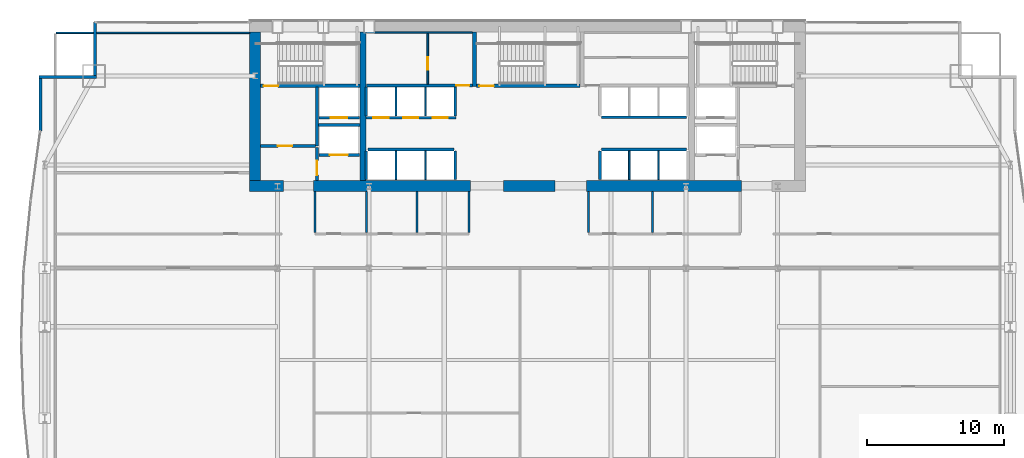
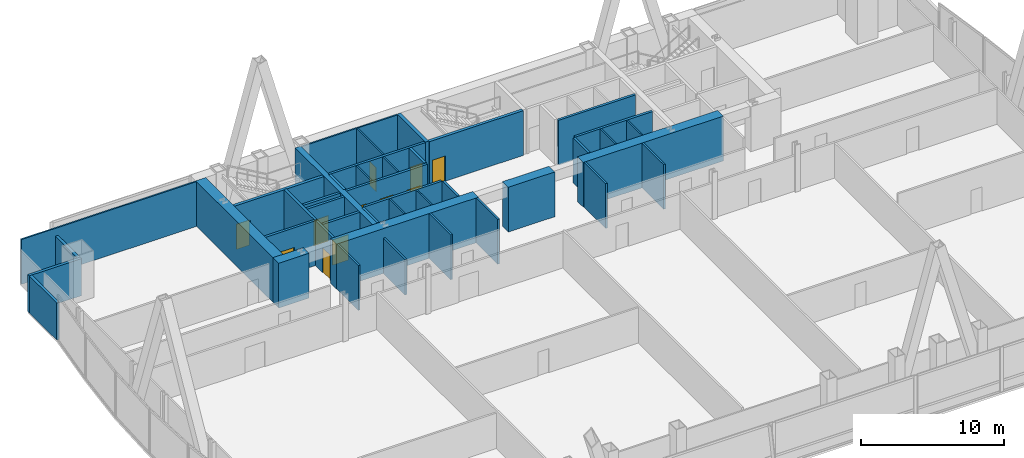
# One storey, part 30 of 35: 43 walls, 11 doors, 11 openings.
"""IFC4 building model written with IfcOpenShell, lengths in metres."""

from ifc_helpers import new_model, si_unit, direction, frame, frame_2d, origin, place, context, subcontext, project, spatial, rectangle, extrude, material, layer, layer_set, type_object, element, fill, save


model = new_model("IFC4")

# Units and contexts
model_context = context("Model", 3, precision=1e-05, world=origin(), true_north=direction((0.0, 1.0)))
body_context = subcontext(model_context, "Body", "Model", "MODEL_VIEW")
ifc_project = project(units=[si_unit("LENGTHUNIT", "METRE"), si_unit("AREAUNIT", "SQUARE_METRE"), si_unit("VOLUMEUNIT", "CUBIC_METRE"), si_unit("PLANEANGLEUNIT", "RADIAN"), si_unit("MASSUNIT", "GRAM", prefix="KILO")], contexts=[model_context])

# Site, building, storey
site_placement = place(None, origin())
site = spatial("IfcSite", under=ifc_project, at=site_placement, CompositionType="ELEMENT")
building_placement = place(site_placement, origin())
building = spatial("IfcBuilding", under=site, at=building_placement, Name="Khoronbel Lancet Exchange", CompositionType="ELEMENT")
storey_placement = place(building_placement, frame((0.0, 0.0, 37.800048828125)))
storey = spatial("IfcBuildingStorey", under=building, at=storey_placement, Name="L08", CompositionType="ELEMENT", Elevation=37.800048828125)

# Walls
ifc_material_1 = material(Name="Concrete C80/95", Category="concrete")
ifc_layer_1 = layer(ifc_material_1, 0.800048828125, Name="Concrete C80/95")
ifc_layer_set_1 = layer_set([ifc_layer_1], Name="Concrete C80/95")
wall_type_1 = type_object("IfcWallType", Name="WL-CW1", PredefinedType="SHEAR", material=ifc_layer_set_1)
wall_1_placement = place(storey_placement, frame((16.60009765625, 42.10009765625, 0.0), z_axis=(0.0, 0.0, 1.0), x_axis=(0.0, 1.0, 0.0)))
element("IfcWall", 1, at=wall_1_placement, inside=storey, type_object=wall_type_1, Name="Level L08 rear core west shear wall", PredefinedType="SHEAR", context=body_context, shape_type="SweptSolid", body=[
    extrude(rectangle(XDim=10.7998046875, YDim=0.800048828125, at=frame_2d((5.39990234375, 0.0))), origin(), (0.0, 0.0, 1.0), 3.820068359375),
])
wall_2_placement = place(storey_placement, frame((18.64990234375, 41.699951171875, 0.0), z_axis=(0.0, 0.0, 1.0), x_axis=(-1.0, 0.0, 0.0)))
element("IfcWall", 2, at=wall_2_placement, inside=storey, type_object=wall_type_1, Name="Level L08 rear core south shear wall pier P1", PredefinedType="SHEAR", context=body_context, shape_type="SweptSolid", body=[
    extrude(rectangle(XDim=2.449951171875, YDim=0.800048828125, at=frame_2d((1.22509765625, 0.0))), origin(), (0.0, 0.0, 1.0), 3.820068359375),
])
wall_3_placement = place(storey_placement, frame((32.300048828125, 41.699951171875, 0.0), z_axis=(0.0, 0.0, 1.0), x_axis=(-1.0, 0.0, 0.0)))
element("IfcWall", 3, at=wall_3_placement, inside=storey, type_object=wall_type_1, Name="Level L08 rear core south shear wall pier P2", PredefinedType="SHEAR", context=body_context, shape_type="SweptSolid", body=[
    extrude(rectangle(XDim=11.449951171875, YDim=0.800048828125, at=frame_2d((5.72509765625, 0.0))), origin(), (0.0, 0.0, 1.0), 3.820068359375),
])
wall_4_placement = place(storey_placement, frame((38.449951171875, 41.699951171875, 0.0), z_axis=(0.0, 0.0, 1.0), x_axis=(-1.0, 0.0, 0.0)))
element("IfcWall", 4, at=wall_4_placement, inside=storey, type_object=wall_type_1, Name="Level L08 rear core south shear wall pier P3", PredefinedType="SHEAR", context=body_context, shape_type="SweptSolid", body=[
    extrude(rectangle(XDim=3.75, YDim=0.800048828125, at=frame_2d((1.875, 0.0))), origin(), (0.0, 0.0, 1.0), 3.820068359375),
])
wall_5_placement = place(storey_placement, frame((52.050048828125, 41.699951171875, 0.0), z_axis=(0.0, 0.0, 1.0), x_axis=(-1.0, 0.0, 0.0)))
element("IfcWall", 5, at=wall_5_placement, inside=storey, type_object=wall_type_1, Name="Level L08 rear core south shear wall pier P4", PredefinedType="SHEAR", context=body_context, shape_type="SweptSolid", body=[
    extrude(rectangle(XDim=11.300048828125, YDim=0.800048828125, at=frame_2d((5.64990234375, 0.0))), origin(), (0.0, 0.0, 1.0), 3.820068359375),
])
ifc_material_2 = material(Name="Precast concrete C40/50", Category="concrete")
ifc_layer_2 = layer(ifc_material_2, 0.25, Name="Precast concrete C40/50")
ifc_layer_set_2 = layer_set([ifc_layer_2], Name="Precast concrete C40/50")
wall_type_2 = type_object("IfcWallType", Name="WL-EXT250", PredefinedType="SOLIDWALL", material=ifc_layer_set_2)
wall_6_placement = place(storey_placement, frame((0.93994140625, 45.673828125, 0.0), z_axis=(0.0, 0.0, 1.0), x_axis=(0.0, 1.0, 0.0)))
element("IfcWall", 6, at=wall_6_placement, inside=storey, type_object=wall_type_2, Name="Level L08 notched-corner limestone pier 10", PredefinedType="SOLIDWALL", context=body_context, shape_type="SweptSolid", body=[
    extrude(rectangle(XDim=3.826171875, YDim=0.219970703125, at=frame_2d((1.9130859375, 0.0))), origin(), (0.0, 0.0, 1.0), 3.159912109375),
])
wall_7_placement = place(storey_placement, frame((0.830078125, 49.610107421875, 0.0), z_axis=(0.0, 0.0, 1.0), x_axis=(1.0, 0.0, 0.0)))
element("IfcWall", 7, at=wall_7_placement, inside=storey, type_object=wall_type_2, Name="Level L08 notched-corner limestone pier 11", PredefinedType="SOLIDWALL", context=body_context, shape_type="SweptSolid", body=[
    extrude(rectangle(XDim=4.219970703125, YDim=0.219970703125, at=frame_2d((2.10986328125, 0.0))), origin(), (0.0, 0.0, 1.0), 3.159912109375),
])
wall_8_placement = place(storey_placement, frame((4.93994140625, 49.719970703125, 0.0), z_axis=(0.0, 0.0, 1.0), x_axis=(0.0, 1.0, 0.0)))
element("IfcWall", 8, at=wall_8_placement, inside=storey, type_object=wall_type_2, Name="Level L08 notched-corner limestone pier 12", PredefinedType="SOLIDWALL", context=body_context, shape_type="SweptSolid", body=[
    extrude(rectangle(XDim=3.909912109375, YDim=0.219970703125, at=frame_2d((1.955078125, 0.0))), origin(), (0.0, 0.0, 1.0), 3.159912109375),
])
ifc_material_3 = material(Name="Acoustic Metal-Stud & Mineral-Wool Gypsum Partition 120 mm", Category="gypsum")
ifc_layer_3 = layer(ifc_material_3, 0.1201171875, Name="Acoustic Metal-Stud & Mineral-Wool Gypsum Partition 120 mm")
ifc_layer_set_3 = layer_set([ifc_layer_3], Name="Acoustic Metal-Stud & Mineral-Wool Gypsum Partition 120 mm")
wall_type_3 = type_object("IfcWallType", Name="WL-PRT120", PredefinedType="PARTITIONING", material=ifc_layer_set_3)
wall_9_placement = place(storey_placement, frame((20.949951171875, 38.280029296875, 0.0), z_axis=(0.0, 0.0, 1.0), x_axis=(0.0, 1.0, 0.0)))
element("IfcWall", 9, at=wall_9_placement, inside=storey, type_object=wall_type_3, Name="Level L08 interior partition PW-WC-0", PredefinedType="PARTITIONING", context=body_context, shape_type="SweptSolid", body=[
    extrude(rectangle(XDim=3.02001953125, YDim=0.14990234375, at=frame_2d((1.510009765625, 0.0))), origin(), (0.0, 0.0, 1.0), 3.820068359375),
])
wall_10_placement = place(storey_placement, frame((24.699951171875, 38.280029296875, 0.0), z_axis=(0.0, 0.0, 1.0), x_axis=(0.0, 1.0, 0.0)))
element("IfcWall", 10, at=wall_10_placement, inside=storey, type_object=wall_type_3, Name="Level L08 interior partition PW-WC-1", PredefinedType="PARTITIONING", context=body_context, shape_type="SweptSolid", body=[
    extrude(rectangle(XDim=3.02001953125, YDim=0.14990234375, at=frame_2d((1.510009765625, 0.0))), origin(), (0.0, 0.0, 1.0), 3.010009765625),
])
for number, where, z_axis, x_axis, name in (
    (11, (28.39990234375, 38.280029296875, 0.0), (0.0, 0.0, 1.0), (0.0, 1.0, 0.0), "Level L08 interior partition PW-WC-2"),
    (12, (32.179931640625, 38.280029296875, 0.0), (0.0, 0.0, 1.0), (0.0, 1.0, 0.0), "Level L08 interior partition PW-WC-3"),
    (13, (40.8798828125, 38.280029296875, 0.0), (0.0, 0.0, 1.0), (0.0, 1.0, 0.0), "Level L08 interior partition PW-NP-0"),
    (14, (45.550048828125, 38.280029296875, 0.0), (0.0, 0.0, 1.0), (0.0, 1.0, 0.0), "Level L08 interior partition PW-NP-M"),
):
    element("IfcWall", number, at=place(storey_placement, frame(where, z_axis=z_axis, x_axis=x_axis)), inside=storey, type_object=wall_type_3, Name=name, PredefinedType="PARTITIONING", context=body_context, shape_type="SweptSolid", body=[
        extrude(rectangle(XDim=3.02001953125, YDim=0.14990234375, at=frame_2d((1.510009765625, 0.0))), origin(), (0.0, 0.0, 1.0), 3.820068359375),
    ])
wall_11_placement = place(storey_placement, frame((2.094970703125, 52.840087890625, 0.0), z_axis=(0.0, 0.0, 1.0), x_axis=(1.0, 0.0, 0.0)))
element("IfcWall", 15, at=wall_11_placement, inside=storey, type_object=wall_type_3, Name="Level L08 interior partition PW-LIN-NW", PredefinedType="PARTITIONING", context=body_context, shape_type="SweptSolid", body=[
    extrude(rectangle(XDim=14.10498046875, YDim=0.1201171875, at=frame_2d((7.052490234375, 0.0))), origin(), (0.0, 0.0, 1.0), 3.820068359375),
])
ifc_material_4 = material(Name="Fire-Rated Metal-Stud & Mineral-Wool Gypsum Partition 120 mm", Category="gypsum")
ifc_layer_4 = layer(ifc_material_4, 0.1201171875, Name="Fire-Rated Metal-Stud & Mineral-Wool Gypsum Partition 120 mm")
ifc_layer_set_4 = layer_set([ifc_layer_4], Name="Fire-Rated Metal-Stud & Mineral-Wool Gypsum Partition 120 mm")
wall_type_4 = type_object("IfcWallType", Name="WL-PRT120F", PredefinedType="PARTITIONING", material=ifc_layer_set_4)
for number, where, z_axis, x_axis, name in (
    (16, (26.860107421875, 46.800048828125, 0.0), (0.0, 0.0, 1.0), (0.0, 1.0, 0.0), "Level L08 interior partition CW-PL-D1"),
    (17, (29.02001953125, 46.800048828125, 0.0), (0.0, 0.0, 1.0), (0.0, 1.0, 0.0), "Level L08 interior partition CW-PL-D2"),
):
    element("IfcWall", number, at=place(storey_placement, frame(where, z_axis=z_axis, x_axis=x_axis)), inside=storey, type_object=wall_type_4, Name=name, PredefinedType="PARTITIONING", context=body_context, shape_type="SweptSolid", body=[
        extrude(rectangle(XDim=2.094970703125, YDim=0.1201171875, at=frame_2d((1.04736328125, 0.0))), origin(), (0.0, 0.0, 1.0), 3.820068359375),
    ])
for number, where, z_axis, x_axis, name in (
    (18, (26.860107421875, 42.14990234375, 0.0), (0.0, 0.0, 1.0), (0.0, 1.0, 0.0), "Level L08 interior partition CW-PM-D1"),
    (19, (29.02001953125, 42.14990234375, 0.0), (0.0, 0.0, 1.0), (0.0, 1.0, 0.0), "Level L08 interior partition CW-PM-D2"),
    (20, (43.860107421875, 42.14990234375, 0.0), (0.0, 0.0, 1.0), (0.0, 1.0, 0.0), "Level L08 interior partition CW-PX-D1"),
    (21, (46.0, 42.14990234375, 0.0), (0.0, 0.0, 1.0), (0.0, 1.0, 0.0), "Level L08 interior partition CW-PX-D2"),
):
    element("IfcWall", number, at=place(storey_placement, frame(where, z_axis=z_axis, x_axis=x_axis)), inside=storey, type_object=wall_type_4, Name=name, PredefinedType="PARTITIONING", context=body_context, shape_type="SweptSolid", body=[
        extrude(rectangle(XDim=2.09521484375, YDim=0.1201171875, at=frame_2d((1.047607421875, 0.0))), origin(), (0.0, 0.0, 1.0), 3.820068359375),
    ])
wall_12_placement = place(storey_placement, frame((24.699951171875, 52.860107421875, 0.0), z_axis=(0.0, 0.0, 1.0), x_axis=(1.0, 0.0, 0.0)))
element("IfcWall", 22, at=wall_12_placement, inside=storey, type_object=wall_type_4, Name="Level L08 interior partition CW-SUP-NW-N", PredefinedType="PARTITIONING", context=body_context, shape_type="SweptSolid", body=[
    extrude(rectangle(XDim=7.719970703125, YDim=0.1201171875, at=frame_2d((3.85986328125, 0.0))), origin(), (0.0, 0.0, 1.0), 3.820068359375),
])

# Wall, opening, door
wall_13_placement = place(storey_placement, frame((29.177490234375, 49.10498046875, 0.0), z_axis=(0.0, 0.0, 1.0), x_axis=(0.0, 1.0, 0.0)))
wall_13 = element("IfcWall", 23, at=wall_13_placement, inside=storey, type_object=wall_type_4, Name="Level L08 interior partition CW-SUP-NW-M", PredefinedType="PARTITIONING", context=body_context, shape_type="SweptSolid", body=[
    extrude(rectangle(XDim=3.68994140625, YDim=0.1201171875, at=frame_2d((1.844970703125, 0.0))), origin(), (0.0, 0.0, 1.0), 3.820068359375),
])
opening_1_placement = place(wall_13_placement, frame((1.050048828125, 0.0, 0.0)))
opening_1 = element("IfcOpeningElement", 24, at=opening_1_placement, cuts=wall_13, Name="Opening FD4", PredefinedType="OPENING", context=body_context, shape_type="SweptSolid", body=[
    extrude(rectangle(XDim=0.89990234375, YDim=2.050048828125, at=frame_2d((0.449951171875, 1.02490234375))), frame((0.0, 0.070068359375, 0.0), z_axis=(0.0, -1.0, 0.0), x_axis=(1.0, 0.0, 0.0)), (0.0, 0.0, 1.0), 0.14013671875),
])
ifc_material_5 = material(Name="Fire-Rated Steel Core Support Door Assembly", Category="steel")
door_type_1 = type_object("IfcDoorType", Name="DR-FD4", OperationType="NOTDEFINED", PredefinedType="DOOR", material=ifc_material_5)
door_1_placement = place(opening_1_placement, origin())
door_1 = element("IfcDoor", 25, at=door_1_placement, inside=storey, type_object=door_type_1, Name="Core NW inner support door L08-1", OperationType="SINGLE_SWING_RIGHT", OverallHeight=2.050048828125, OverallWidth=0.89990234375, PredefinedType="DOOR", context=body_context, shape_type="SweptSolid", body=[
    extrude(rectangle(XDim=0.89990234375, YDim=2.050048828125, at=frame_2d((0.449951171875, 1.02490234375))), frame((0.0, 0.02490234375, 0.0), z_axis=(0.0, -1.0, 0.0), x_axis=(1.0, 0.0, 0.0)), (0.0, 0.0, 1.0), 0.050048828125),
])
fill(opening_1, door_1)

ifc_material_6 = material(Name="Autoclaved Aerated Concrete Blockwork 200 mm", Category="masonry")
ifc_layer_5 = layer(ifc_material_6, 0.199951171875, Name="Autoclaved Aerated Concrete Blockwork 200 mm")
ifc_layer_set_5 = layer_set([ifc_layer_5], Name="Autoclaved Aerated Concrete Blockwork 200 mm")
wall_type_5 = type_object("IfcWallType", Name="WL-PRT200", PredefinedType="PARTITIONING", material=ifc_layer_set_5)
wall_14_placement = place(storey_placement, frame((24.2099609375, 43.949951171875, 0.0), z_axis=(0.0, 0.0, 1.0), x_axis=(-1.0, 0.0, 0.0)))
wall_14 = element("IfcWall", 26, at=wall_14_placement, inside=storey, type_object=wall_type_5, Name="Level L08 elevator hoistway landing front wall SVLW", PredefinedType="PARTITIONING", context=body_context, shape_type="SweptSolid", body=[
    extrude(rectangle(XDim=2.969970703125, YDim=0.199951171875, at=frame_2d((1.48486328125, 0.0))), origin(), (0.0, 0.0, 1.0), 3.820068359375),
])
opening_2_placement = place(wall_14_placement, frame((0.860107421875, 0.0, 0.0)))
opening_2 = element("IfcOpeningElement", 27, at=opening_2_placement, cuts=wall_14, Name="Opening LD-SVL1", PredefinedType="OPENING", context=body_context, shape_type="SweptSolid", body=[
    extrude(rectangle(XDim=1.300048828125, YDim=2.179931640625, at=frame_2d((0.64990234375, 1.08984375))), frame((0.0, 0.10986328125, 0.0), z_axis=(0.0, -1.0, 0.0), x_axis=(1.0, 0.0, 0.0)), (0.0, 0.0, 1.0), 0.219970703125),
])
ifc_material_7 = material(Name="Heavy-Duty Bi-Parting Goods Lift Landing Door", Category="steel")
door_type_2 = type_object("IfcDoorType", Name="DR-LD-SVL", OperationType="NOTDEFINED", PredefinedType="DOOR", material=ifc_material_7)
door_2_placement = place(opening_2_placement, origin())
door_2 = element("IfcDoor", 28, at=door_2_placement, inside=storey, type_object=door_type_2, Name="Elevator landing sliding door LD-SVL1 L08", OperationType="SLIDING_TO_LEFT", OverallHeight=2.179931640625, OverallWidth=1.300048828125, PredefinedType="DOOR", context=body_context, shape_type="SweptSolid", body=[
    extrude(rectangle(XDim=1.300048828125, YDim=2.179931640625, at=frame_2d((0.64990234375, 1.08984375))), frame((0.0, 0.02490234375, 0.0), z_axis=(0.0, -1.0, 0.0), x_axis=(1.0, 0.0, 0.0)), (0.0, 0.0, 1.0), 0.050048828125),
])
fill(opening_2, door_2)

wall_15_placement = place(storey_placement, frame((24.2099609375, 46.64990234375, 0.0), z_axis=(0.0, 0.0, 1.0), x_axis=(-1.0, 0.0, 0.0)))
wall_15 = element("IfcWall", 29, at=wall_15_placement, inside=storey, type_object=wall_type_5, Name="Level L08 elevator hoistway landing front wall FFLW", PredefinedType="PARTITIONING", context=body_context, shape_type="SweptSolid", body=[
    extrude(rectangle(XDim=2.969970703125, YDim=0.199951171875, at=frame_2d((1.48486328125, 0.0))), origin(), (0.0, 0.0, 1.0), 3.820068359375),
])
opening_3_placement = place(wall_15_placement, frame((0.909912109375, 0.0, 0.0)))
opening_3 = element("IfcOpeningElement", 30, at=opening_3_placement, cuts=wall_15, Name="Opening LD-FFL1", PredefinedType="OPENING", context=body_context, shape_type="SweptSolid", body=[
    extrude(rectangle(XDim=1.199951171875, YDim=2.179931640625, at=frame_2d((0.60009765625, 1.08984375))), frame((0.0, 0.10986328125, 0.0), z_axis=(0.0, -1.0, 0.0), x_axis=(1.0, 0.0, 0.0)), (0.0, 0.0, 1.0), 0.219970703125),
])
ifc_material_8 = material(Name="Fire-Rated Stainless Bi-Parting Firefighting Lift Door", Category="steel")
door_type_3 = type_object("IfcDoorType", Name="DR-LD-FFL", OperationType="NOTDEFINED", PredefinedType="DOOR", material=ifc_material_8)
door_3_placement = place(opening_3_placement, origin())
door_3 = element("IfcDoor", 31, at=door_3_placement, inside=storey, type_object=door_type_3, Name="Elevator landing sliding door LD-FFL1 L08", OperationType="SLIDING_TO_LEFT", OverallHeight=2.179931640625, OverallWidth=1.199951171875, PredefinedType="DOOR", context=body_context, shape_type="SweptSolid", body=[
    extrude(rectangle(XDim=1.199951171875, YDim=2.179931640625, at=frame_2d((0.60009765625, 1.08984375))), frame((0.0, 0.02490234375, 0.0), z_axis=(0.0, -1.0, 0.0), x_axis=(1.0, 0.0, 0.0)), (0.0, 0.0, 1.0), 0.050048828125),
])
fill(opening_3, door_3)

# Wall, openings, doors
wall_16_placement = place(storey_placement, frame((31.219970703125, 46.64990234375, 0.0), z_axis=(0.0, 0.0, 1.0), x_axis=(-1.0, 0.0, 0.0)))
wall_16 = element("IfcWall", 32, at=wall_16_placement, inside=storey, type_object=wall_type_5, Name="Level L08 elevator hoistway landing front wall PLW", PredefinedType="PARTITIONING", context=body_context, shape_type="SweptSolid", body=[
    extrude(rectangle(XDim=6.530029296875, YDim=0.199951171875, at=frame_2d((3.26513671875, 0.0))), origin(), (0.0, 0.0, 1.0), 3.820068359375),
])
opening_4_placement = place(wall_16_placement, frame((4.89990234375, 0.0, 0.0)))
opening_4 = element("IfcOpeningElement", 33, at=opening_4_placement, cuts=wall_16, Name="Opening LD-PL1", PredefinedType="OPENING", context=body_context, shape_type="SweptSolid", body=[
    extrude(rectangle(XDim=1.10009765625, YDim=2.179931640625, at=frame_2d((0.550048828125, 1.08984375))), frame((0.0, 0.10986328125, 0.0), z_axis=(0.0, -1.0, 0.0), x_axis=(1.0, 0.0, 0.0)), (0.0, 0.0, 1.0), 0.219970703125),
])
opening_5_placement = place(wall_16_placement, frame((2.739990234375, 0.0, 0.0)))
opening_5 = element("IfcOpeningElement", 34, at=opening_5_placement, cuts=wall_16, Name="Opening LD-PL2", PredefinedType="OPENING", context=body_context, shape_type="SweptSolid", body=[
    extrude(rectangle(XDim=1.10009765625, YDim=2.179931640625, at=frame_2d((0.550048828125, 1.08984375))), frame((0.0, 0.10986328125, 0.0), z_axis=(0.0, -1.0, 0.0), x_axis=(1.0, 0.0, 0.0)), (0.0, 0.0, 1.0), 0.219970703125),
])
opening_6_placement = place(wall_16_placement, frame((0.580078125, 0.0, 0.0)))
opening_6 = element("IfcOpeningElement", 35, at=opening_6_placement, cuts=wall_16, Name="Opening LD-PL3", PredefinedType="OPENING", context=body_context, shape_type="SweptSolid", body=[
    extrude(rectangle(XDim=1.10009765625, YDim=2.179931640625, at=frame_2d((0.550048828125, 1.08984375))), frame((0.0, 0.10986328125, 0.0), z_axis=(0.0, -1.0, 0.0), x_axis=(1.0, 0.0, 0.0)), (0.0, 0.0, 1.0), 0.219970703125),
])
ifc_material_9 = material(Name="Brushed Bronze Bi-Parting Elevator Landing Door", Category="steel")
door_type_4 = type_object("IfcDoorType", Name="DR-LD-PAX", OperationType="NOTDEFINED", PredefinedType="DOOR", material=ifc_material_9)
door_4_placement = place(opening_4_placement, origin())
door_4 = element("IfcDoor", 36, at=door_4_placement, inside=storey, type_object=door_type_4, Name="Elevator landing sliding door LD-PL1 L08", OperationType="SLIDING_TO_LEFT", OverallHeight=2.179931640625, OverallWidth=1.10009765625, PredefinedType="DOOR", context=body_context, shape_type="SweptSolid", body=[
    extrude(rectangle(XDim=1.10009765625, YDim=2.179931640625, at=frame_2d((0.550048828125, 1.08984375))), frame((0.0, 0.02490234375, 0.0), z_axis=(0.0, -1.0, 0.0), x_axis=(1.0, 0.0, 0.0)), (0.0, 0.0, 1.0), 0.050048828125),
])
fill(opening_4, door_4)
door_5_placement = place(opening_5_placement, origin())
door_5 = element("IfcDoor", 37, at=door_5_placement, inside=storey, type_object=door_type_4, Name="Elevator landing sliding door LD-PL2 L08", OperationType="SLIDING_TO_LEFT", OverallHeight=2.179931640625, OverallWidth=1.10009765625, PredefinedType="DOOR", context=body_context, shape_type="SweptSolid", body=[
    extrude(rectangle(XDim=1.10009765625, YDim=2.179931640625, at=frame_2d((0.550048828125, 1.08984375))), frame((0.0, 0.02490234375, 0.0), z_axis=(0.0, -1.0, 0.0), x_axis=(1.0, 0.0, 0.0)), (0.0, 0.0, 1.0), 0.050048828125),
])
fill(opening_5, door_5)
door_6_placement = place(opening_6_placement, origin())
door_6 = element("IfcDoor", 38, at=door_6_placement, inside=storey, type_object=door_type_4, Name="Elevator landing sliding door LD-PL3 L08", OperationType="SLIDING_TO_LEFT", OverallHeight=2.179931640625, OverallWidth=1.10009765625, PredefinedType="DOOR", context=body_context, shape_type="SweptSolid", body=[
    extrude(rectangle(XDim=1.10009765625, YDim=2.179931640625, at=frame_2d((0.550048828125, 1.08984375))), frame((0.0, 0.02490234375, 0.0), z_axis=(0.0, -1.0, 0.0), x_axis=(1.0, 0.0, 0.0)), (0.0, 0.0, 1.0), 0.050048828125),
])
fill(opening_6, door_6)

# Wall
wall_17_placement = place(storey_placement, frame((21.10009765625, 44.60009765625, 0.0), z_axis=(0.0, 0.0, 1.0), x_axis=(0.0, 1.0, 0.0)))
element("IfcWall", 39, at=wall_17_placement, inside=storey, type_object=wall_type_5, Name="Level L08 interior partition CW-FFLW-E", PredefinedType="PARTITIONING", context=body_context, shape_type="SweptSolid", body=[
    extrude(rectangle(XDim=4.2998046875, YDim=0.199951171875, at=frame_2d((2.14990234375, 0.0))), origin(), (0.0, 0.0, 1.0), 3.820068359375),
])

# Wall, opening, door
wall_18_placement = place(storey_placement, frame((17.0, 44.60009765625, 0.0), z_axis=(0.0, 0.0, 1.0), x_axis=(1.0, 0.0, 0.0)))
wall_18 = element("IfcWall", 40, at=wall_18_placement, inside=storey, type_object=wall_type_5, Name="Level L08 interior partition CW-FFLW-S", PredefinedType="PARTITIONING", context=body_context, shape_type="SweptSolid", body=[
    extrude(rectangle(XDim=4.0, YDim=0.199951171875, at=frame_2d((2.0, 0.0))), origin(), (0.0, 0.0, 1.0), 3.820068359375),
])
opening_7_placement = place(wall_18_placement, frame((1.25, 0.0, 0.0)))
opening_7 = element("IfcOpeningElement", 41, at=opening_7_placement, cuts=wall_18, Name="Opening FD1", PredefinedType="OPENING", context=body_context, shape_type="SweptSolid", body=[
    extrude(rectangle(XDim=1.050048828125, YDim=2.14990234375, at=frame_2d((0.52490234375, 1.074951171875))), frame((0.0, 0.10986328125, 0.0), z_axis=(0.0, -1.0, 0.0), x_axis=(1.0, 0.0, 0.0)), (0.0, 0.0, 1.0), 0.219970703125),
])
ifc_material_10 = material(Name="Fire-Rated Painted Steel Door Assembly", Category="steel")
door_type_5 = type_object("IfcDoorType", Name="DR-FD1", OperationType="NOTDEFINED", PredefinedType="DOOR", material=ifc_material_10)
door_7_placement = place(opening_7_placement, origin())
door_7 = element("IfcDoor", 42, at=door_7_placement, inside=storey, type_object=door_type_5, Name="West firefighting lobby FD90S door L08-1", OperationType="SINGLE_SWING_LEFT", OverallHeight=2.14990234375, OverallWidth=1.050048828125, PredefinedType="DOOR", context=body_context, shape_type="SweptSolid", body=[
    extrude(rectangle(XDim=1.050048828125, YDim=2.14990234375, at=frame_2d((0.52490234375, 1.074951171875))), frame((0.0, 0.02490234375, 0.0), z_axis=(0.0, -1.0, 0.0), x_axis=(1.0, 0.0, 0.0)), (0.0, 0.0, 1.0), 0.050048828125),
])
fill(opening_7, door_7)

# Wall
wall_19_placement = place(storey_placement, frame((21.199951171875, 46.1201171875, 0.0), z_axis=(0.0, 0.0, 1.0), x_axis=(1.0, 0.0, 0.0)))
element("IfcWall", 43, at=wall_19_placement, inside=storey, type_object=wall_type_5, Name="Level L08 interior partition CW-FFL1-S", PredefinedType="PARTITIONING", context=body_context, shape_type="SweptSolid", body=[
    extrude(rectangle(XDim=3.02001953125, YDim=0.199951171875, at=frame_2d((1.510009765625, 0.0))), origin(), (0.0, 0.0, 1.0), 3.820068359375),
])

# Wall, opening, door
wall_20_placement = place(storey_placement, frame((21.10009765625, 42.10009765625, 0.0), z_axis=(0.0, 0.0, 1.0), x_axis=(0.0, 1.0, 0.0)))
wall_20 = element("IfcWall", 44, at=wall_20_placement, inside=storey, type_object=wall_type_5, Name="Level L08 interior partition CW-SVLW-W", PredefinedType="PARTITIONING", context=body_context, shape_type="SweptSolid", body=[
    extrude(rectangle(XDim=2.39501953125, YDim=0.199951171875, at=frame_2d((1.197509765625, 0.0))), origin(), (0.0, 0.0, 1.0), 3.820068359375),
])
opening_8_placement = place(wall_20_placement, frame((0.3798828125, 0.0, 0.0)))
opening_8 = element("IfcOpeningElement", 45, at=opening_8_placement, cuts=wall_20, Name="Opening FD1", PredefinedType="OPENING", context=body_context, shape_type="SweptSolid", body=[
    extrude(rectangle(XDim=1.050048828125, YDim=2.14990234375, at=frame_2d((0.52490234375, 1.074951171875))), frame((0.0, 0.10986328125, 0.0), z_axis=(0.0, -1.0, 0.0), x_axis=(1.0, 0.0, 0.0)), (0.0, 0.0, 1.0), 0.219970703125),
])
door_8_placement = place(opening_8_placement, origin())
door_8 = element("IfcDoor", 46, at=door_8_placement, inside=storey, type_object=door_type_5, Name="West service lift lobby door L08-1", OperationType="SINGLE_SWING_RIGHT", OverallHeight=2.14990234375, OverallWidth=1.050048828125, PredefinedType="DOOR", context=body_context, shape_type="SweptSolid", body=[
    extrude(rectangle(XDim=1.050048828125, YDim=2.14990234375, at=frame_2d((0.52490234375, 1.074951171875))), frame((0.0, 0.02490234375, 0.0), z_axis=(0.0, -1.0, 0.0), x_axis=(1.0, 0.0, 0.0)), (0.0, 0.0, 1.0), 0.050048828125),
])
fill(opening_8, door_8)

# Walls
for number, where, z_axis, x_axis, name in (
    (47, (24.699951171875, 46.800048828125, 0.0), (0.0, 0.0, 1.0), (0.0, 1.0, 0.0), "Level L08 interior partition CW-PL-W"),
    (48, (31.179931640625, 46.800048828125, 0.0), (0.0, 0.0, 1.0), (0.0, 1.0, 0.0), "Level L08 interior partition CW-PL-E"),
):
    element("IfcWall", number, at=place(storey_placement, frame(where, z_axis=z_axis, x_axis=x_axis)), inside=storey, type_object=wall_type_5, Name=name, PredefinedType="PARTITIONING", context=body_context, shape_type="SweptSolid", body=[
        extrude(rectangle(XDim=2.094970703125, YDim=0.199951171875, at=frame_2d((1.04736328125, 0.0))), origin(), (0.0, 0.0, 1.0), 3.820068359375),
    ])
wall_21_placement = place(storey_placement, frame((24.804931640625, 44.35009765625, 0.0), z_axis=(0.0, 0.0, 1.0), x_axis=(1.0, 0.0, 0.0)))
element("IfcWall", 49, at=wall_21_placement, inside=storey, type_object=wall_type_5, Name="Level L08 interior partition CW-PM-EXP", PredefinedType="PARTITIONING", context=body_context, shape_type="SweptSolid", body=[
    extrude(rectangle(XDim=6.27001953125, YDim=0.199951171875, at=frame_2d((3.135009765625, 0.0))), origin(), (0.0, 0.0, 1.0), 3.820068359375),
])
for number, where, z_axis, x_axis, name in (
    (50, (24.699951171875, 42.14990234375, 0.0), (0.0, 0.0, 1.0), (0.0, 1.0, 0.0), "Level L08 interior partition CW-PM-W"),
    (51, (31.179931640625, 42.14990234375, 0.0), (0.0, 0.0, 1.0), (0.0, 1.0, 0.0), "Level L08 interior partition CW-PM-E"),
):
    element("IfcWall", number, at=place(storey_placement, frame(where, z_axis=z_axis, x_axis=x_axis)), inside=storey, type_object=wall_type_5, Name=name, PredefinedType="PARTITIONING", context=body_context, shape_type="SweptSolid", body=[
        extrude(rectangle(XDim=2.09521484375, YDim=0.199951171875, at=frame_2d((1.047607421875, 0.0))), origin(), (0.0, 0.0, 1.0), 3.820068359375),
    ])
for number, where, z_axis, x_axis, name in (
    (52, (41.824951171875, 46.699951171875, 0.0), (0.0, 0.0, 1.0), (1.0, 0.0, 0.0), "Level L08 interior partition CW-PH-EXP"),
    (53, (41.824951171875, 44.35009765625, 0.0), (0.0, 0.0, 1.0), (1.0, 0.0, 0.0), "Level L08 interior partition CW-PX-EXP"),
):
    element("IfcWall", number, at=place(storey_placement, frame(where, z_axis=z_axis, x_axis=x_axis)), inside=storey, type_object=wall_type_5, Name=name, PredefinedType="PARTITIONING", context=body_context, shape_type="SweptSolid", body=[
        extrude(rectangle(XDim=6.2099609375, YDim=0.199951171875, at=frame_2d((3.10498046875, 0.0))), origin(), (0.0, 0.0, 1.0), 3.820068359375),
    ])
wall_22_placement = place(storey_placement, frame((41.719970703125, 42.14990234375, 0.0), z_axis=(0.0, 0.0, 1.0), x_axis=(0.0, 1.0, 0.0)))
element("IfcWall", 54, at=wall_22_placement, inside=storey, type_object=wall_type_5, Name="Level L08 interior partition CW-PX-W", PredefinedType="PARTITIONING", context=body_context, shape_type="SweptSolid", body=[
    extrude(rectangle(XDim=2.09521484375, YDim=0.199951171875, at=frame_2d((1.047607421875, 0.0))), origin(), (0.0, 0.0, 1.0), 3.820068359375),
])

# Wall, opening, door
wall_23_placement = place(storey_placement, frame((24.699951171875, 49.0, 0.0), z_axis=(0.0, 0.0, 1.0), x_axis=(1.0, 0.0, 0.0)))
wall_23 = element("IfcWall", 55, at=wall_23_placement, inside=storey, type_object=wall_type_5, Name="Level L08 interior partition CW-SUP-NW-S", PredefinedType="PARTITIONING", context=body_context, shape_type="SweptSolid", body=[
    extrude(rectangle(XDim=7.719970703125, YDim=0.199951171875, at=frame_2d((3.85986328125, 0.0))), origin(), (0.0, 0.0, 1.0), 3.820068359375),
])
opening_9_placement = place(wall_23_placement, frame((6.56005859375, 0.0, 0.0)))
opening_9 = element("IfcOpeningElement", 56, at=opening_9_placement, cuts=wall_23, Name="Opening FD3", PredefinedType="OPENING", context=body_context, shape_type="SweptSolid", body=[
    extrude(rectangle(XDim=0.949951171875, YDim=2.10009765625, at=frame_2d((0.47509765625, 1.050048828125))), frame((0.0, 0.10986328125, 0.0), z_axis=(0.0, -1.0, 0.0), x_axis=(1.0, 0.0, 0.0)), (0.0, 0.0, 1.0), 0.219970703125),
])
ifc_material_11 = material(Name="Fire-Rated Steel Plant & Riser Door Assembly", Category="steel")
door_type_6 = type_object("IfcDoorType", Name="DR-FD3", OperationType="NOTDEFINED", PredefinedType="DOOR", material=ifc_material_11)
door_9_placement = place(opening_9_placement, origin())
door_9 = element("IfcDoor", 57, at=door_9_placement, inside=storey, type_object=door_type_6, Name="Core NW support room door L08-1", OperationType="SINGLE_SWING_LEFT", OverallHeight=2.10009765625, OverallWidth=0.949951171875, PredefinedType="DOOR", context=body_context, shape_type="SweptSolid", body=[
    extrude(rectangle(XDim=0.949951171875, YDim=2.10009765625, at=frame_2d((0.47509765625, 1.050048828125))), frame((0.0, 0.02490234375, 0.0), z_axis=(0.0, -1.0, 0.0), x_axis=(1.0, 0.0, 0.0)), (0.0, 0.0, 1.0), 0.050048828125),
])
fill(opening_9, door_9)

# Walls
ifc_layer_6 = layer(ifc_material_1, 0.449951171875, Name="Concrete C80/95")
ifc_layer_set_6 = layer_set([ifc_layer_6], Name="Concrete C80/95")
wall_type_6 = type_object("IfcWallType", Name="WL-SW1", PredefinedType="SHEAR", material=ifc_layer_set_6)
wall_24_placement = place(storey_placement, frame((24.449951171875, 42.10009765625, 0.0), z_axis=(0.0, 0.0, 1.0), x_axis=(0.0, 1.0, 0.0)))
element("IfcWall", 58, at=wall_24_placement, inside=storey, type_object=wall_type_6, Name="Level L08 rear core internal spine shear wall IW", PredefinedType="SHEAR", context=body_context, shape_type="SweptSolid", body=[
    extrude(rectangle(XDim=10.7998046875, YDim=0.449951171875, at=frame_2d((5.39990234375, 0.0))), origin(), (0.0, 0.0, 1.0), 3.820068359375),
])
ifc_material_12 = material(Name="Concrete C60/75", Category="concrete")
ifc_layer_7 = layer(ifc_material_12, 0.260009765625, Name="Concrete C60/75")
ifc_layer_set_7 = layer_set([ifc_layer_7], Name="Concrete C60/75")
wall_type_7 = type_object("IfcWallType", Name="WL-SW3", PredefinedType="SHEAR", material=ifc_layer_set_7)
wall_25_placement = place(storey_placement, frame((32.580078125, 48.949951171875, 0.0), z_axis=(0.0, 0.0, 1.0), x_axis=(0.0, 1.0, 0.0)))
element("IfcWall", 59, at=wall_25_placement, inside=storey, type_object=wall_type_7, Name="Level L08 central stairwell structural shear wall ST3W", PredefinedType="SHEAR", context=body_context, shape_type="SweptSolid", body=[
    extrude(rectangle(XDim=3.949951171875, YDim=0.260009765625, at=frame_2d((1.97509765625, 0.0))), origin(), (0.0, 0.0, 1.0), 3.820068359375),
])

# Wall, opening, door
wall_26_placement = place(storey_placement, frame((17.0, 48.97998046875, 0.0), z_axis=(0.0, 0.0, 1.0), x_axis=(1.0, 0.0, 0.0)))
wall_26 = element("IfcWall", 60, at=wall_26_placement, inside=storey, type_object=wall_type_7, Name="Level L08 west stairwell structural south wall", PredefinedType="SHEAR", context=body_context, shape_type="SweptSolid", body=[
    extrude(rectangle(XDim=7.219970703125, YDim=0.239990234375, at=frame_2d((3.60986328125, 0.0))), origin(), (0.0, 0.0, 1.0), 3.820068359375),
])
opening_10_placement = place(wall_26_placement, frame((0.219970703125, 0.0, 0.0)))
opening_10 = element("IfcOpeningElement", 61, at=opening_10_placement, cuts=wall_26, Name="Opening SD1", PredefinedType="OPENING", context=body_context, shape_type="SweptSolid", body=[
    extrude(rectangle(XDim=1.050048828125, YDim=2.14990234375, at=frame_2d((0.52490234375, 1.074951171875))), frame((0.0, 0.1298828125, 0.0), z_axis=(0.0, -1.0, 0.0), x_axis=(1.0, 0.0, 0.0)), (0.0, 0.0, 1.0), 0.260009765625),
])
ifc_material_13 = material(Name="Fire-Rated Steel Stairwell Door Assembly", Category="steel")
door_type_7 = type_object("IfcDoorType", Name="DR-SD1", OperationType="NOTDEFINED", PredefinedType="DOOR", material=ifc_material_13)
door_10_placement = place(opening_10_placement, origin())
door_10 = element("IfcDoor", 62, at=door_10_placement, inside=storey, type_object=door_type_7, Name="Protected exit stair ST1 door L08", OperationType="SINGLE_SWING_LEFT", OverallHeight=2.14990234375, OverallWidth=1.050048828125, PredefinedType="DOOR", context=body_context, shape_type="SweptSolid", body=[
    extrude(rectangle(XDim=1.050048828125, YDim=2.14990234375, at=frame_2d((0.52490234375, 1.074951171875))), frame((0.0, 0.02490234375, 0.0), z_axis=(0.0, -1.0, 0.0), x_axis=(1.0, 0.0, 0.0)), (0.0, 0.0, 1.0), 0.050048828125),
])
fill(opening_10, door_10)

wall_27_placement = place(storey_placement, frame((32.719970703125, 48.97998046875, 0.0), z_axis=(0.0, 0.0, 1.0), x_axis=(1.0, 0.0, 0.0)))
wall_27 = element("IfcWall", 63, at=wall_27_placement, inside=storey, type_object=wall_type_7, Name="Level L08 central stairwell structural south wall", PredefinedType="SHEAR", context=body_context, shape_type="SweptSolid", body=[
    extrude(rectangle(XDim=7.56005859375, YDim=0.239990234375, at=frame_2d((3.780029296875, 0.0))), origin(), (0.0, 0.0, 1.0), 3.820068359375),
])
opening_11_placement = place(wall_27_placement, frame((0.219970703125, 0.0, 0.0)))
opening_11 = element("IfcOpeningElement", 64, at=opening_11_placement, cuts=wall_27, Name="Opening SD1", PredefinedType="OPENING", context=body_context, shape_type="SweptSolid", body=[
    extrude(rectangle(XDim=1.050048828125, YDim=2.14990234375, at=frame_2d((0.52490234375, 1.074951171875))), frame((0.0, 0.1298828125, 0.0), z_axis=(0.0, -1.0, 0.0), x_axis=(1.0, 0.0, 0.0)), (0.0, 0.0, 1.0), 0.260009765625),
])
door_11_placement = place(opening_11_placement, origin())
door_11 = element("IfcDoor", 65, at=door_11_placement, inside=storey, type_object=door_type_7, Name="Protected exit stair ST3 door L08", OperationType="SINGLE_SWING_LEFT", OverallHeight=2.14990234375, OverallWidth=1.050048828125, PredefinedType="DOOR", context=body_context, shape_type="SweptSolid", body=[
    extrude(rectangle(XDim=1.050048828125, YDim=2.14990234375, at=frame_2d((0.52490234375, 1.074951171875))), frame((0.0, 0.02490234375, 0.0), z_axis=(0.0, -1.0, 0.0), x_axis=(1.0, 0.0, 0.0)), (0.0, 0.0, 1.0), 0.050048828125),
])
fill(opening_11, door_11)

save(model, "model.ifc")
